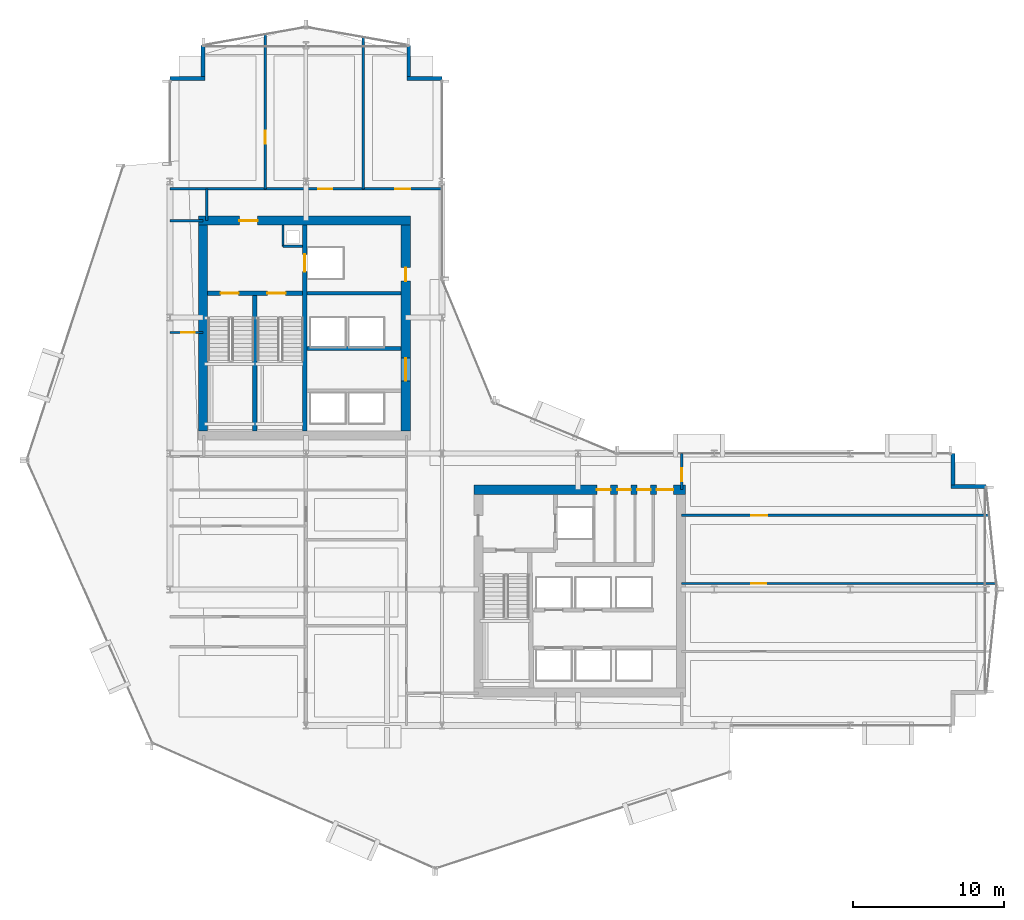
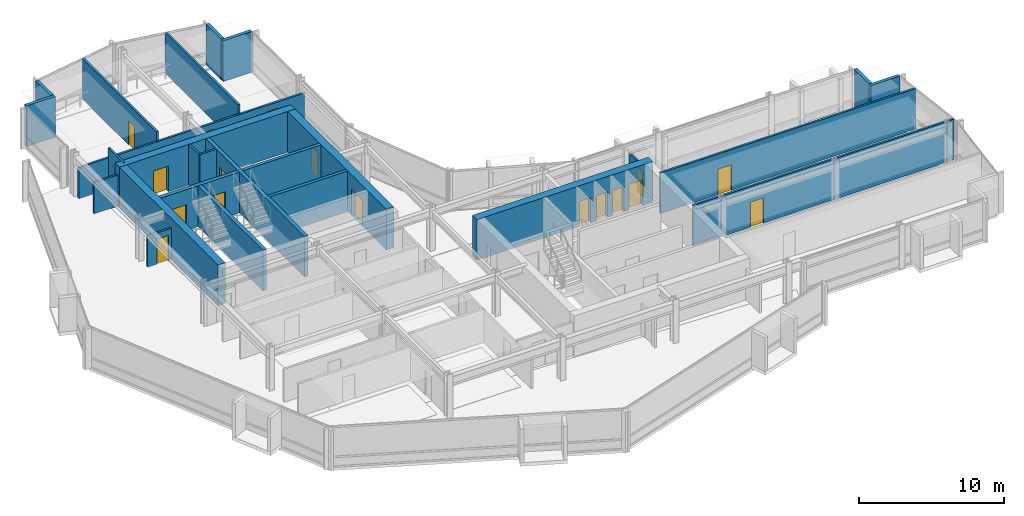
# One storey, part 28 of 34: 26 walls, 17 doors, 17 openings.
"""IFC4 building model written with IfcOpenShell, lengths in metres."""

from ifc_helpers import new_model, si_unit, direction, frame, frame_2d, origin, place, context, subcontext, project, spatial, rectangle, extrude, material, layer, layer_set, type_object, element, fill, save


model = new_model("IFC4")

# Units and contexts
model_context = context("Model", 3, precision=1e-05, world=origin(), true_north=direction((0.0, 1.0)))
body_context = subcontext(model_context, "Body", "Model", "MODEL_VIEW")
ifc_project = project(units=[si_unit("LENGTHUNIT", "METRE"), si_unit("AREAUNIT", "SQUARE_METRE"), si_unit("VOLUMEUNIT", "CUBIC_METRE"), si_unit("PLANEANGLEUNIT", "RADIAN"), si_unit("MASSUNIT", "GRAM", prefix="KILO")], contexts=[model_context])

# Site, building, storey
site_placement = place(None, origin())
site = spatial("IfcSite", under=ifc_project, at=site_placement, CompositionType="ELEMENT")
building_placement = place(site_placement, origin())
building = spatial("IfcBuilding", under=site, at=building_placement, Name="Solvaryn Broadcast Tower", CompositionType="ELEMENT")
storey_placement = place(building_placement, frame((0.0, 0.0, 89.10009765625)))
storey = spatial("IfcBuildingStorey", under=building, at=storey_placement, Name="L21", CompositionType="ELEMENT", Elevation=89.10009765625)

# Wall, opening, door
ifc_material_1 = material(Name="Concrete f'c 70 MPa", Category="concrete")
ifc_layer_1 = layer(ifc_material_1, 0.60009765625)
ifc_layer_set_1 = layer_set([ifc_layer_1], Name="CW-SHEAR-600")
wall_type_1 = type_object("IfcWallType", Name="CW-SHEAR-600", PredefinedType="SHEAR", material=ifc_layer_set_1)
wall_1_placement = place(storey_placement, frame((24.89990234375, 42.39990234375, 0.0), z_axis=(0.0, 0.0, 1.0), x_axis=(-1.0, 0.0, 0.0)))
wall_1 = element("IfcWall", 1, at=wall_1_placement, inside=storey, type_object=wall_type_1, Name="L21 West Core North Shear Wall", PredefinedType="SHEAR", context=body_context, shape_type="SweptSolid", body=[
    extrude(rectangle(XDim=14.0, YDim=0.60009765625, at=frame_2d((7.0, 0.0))), origin(), (0.0, 0.0, 1.0), 3.419921875),
])
opening_1_placement = place(wall_1_placement, frame((10.10009765625, 0.0, 0.0)))
opening_1 = element("IfcOpeningElement", 2, at=opening_1_placement, cuts=wall_1, Name="Opening FD90A", PredefinedType="OPENING", context=body_context, shape_type="SweptSolid", body=[
    extrude(rectangle(XDim=1.199951171875, YDim=2.14990234375, at=frame_2d((0.60009765625, 1.074951171875))), frame((0.0, 0.31005859375, 0.0), z_axis=(0.0, -1.0, 0.0), x_axis=(1.0, 0.0, 0.0)), (0.0, 0.0, 1.0), 0.6201171875),
])
ifc_material_2 = material(Name="Flush Acoustic Steel and Timber Door Assembly", Category="steel")
door_type_1 = type_object("IfcDoorType", Name="FD90-STAIR-1200X2150", OperationType="NOTDEFINED", PredefinedType="DOOR", material=ifc_material_2)
door_1_placement = place(opening_1_placement, origin())
door_1 = element("IfcDoor", 3, at=door_1_placement, inside=storey, type_object=door_type_1, Name="L21 West FSAE Lobby Corridor Door", OperationType="SINGLE_SWING_LEFT", OverallHeight=2.14990234375, OverallWidth=1.199951171875, PredefinedType="DOOR", context=body_context, shape_type="SweptSolid", body=[
    extrude(rectangle(XDim=1.199951171875, YDim=2.14990234375, at=frame_2d((0.60009765625, 1.074951171875))), frame((0.0, 0.02490234375, 0.0), z_axis=(0.0, -1.0, 0.0), x_axis=(1.0, 0.0, 0.0)), (0.0, 0.0, 1.0), 0.050048828125),
])
fill(opening_1, door_1)

# Wall
wall_2_placement = place(storey_placement, frame((11.199951171875, 42.10009765625, 0.0), z_axis=(0.0, 0.0, 1.0), x_axis=(0.0, -1.0, 0.0)))
element("IfcWall", 4, at=wall_2_placement, inside=storey, type_object=wall_type_1, Name="L21 West Core West Shear Wall", PredefinedType="SHEAR", context=body_context, shape_type="SweptSolid", body=[
    extrude(rectangle(XDim=13.60009765625, YDim=0.60009765625, at=frame_2d((6.800048828125, 0.0))), origin(), (0.0, 0.0, 1.0), 3.419921875),
])

# Wall, openings, doors
wall_3_placement = place(storey_placement, frame((24.60009765625, 28.5, 0.0), z_axis=(0.0, 0.0, 1.0), x_axis=(0.0, 1.0, 0.0)))
wall_3 = element("IfcWall", 5, at=wall_3_placement, inside=storey, type_object=wall_type_1, Name="L21 West Core East Shear Wall", PredefinedType="SHEAR", context=body_context, shape_type="SweptSolid", body=[
    extrude(rectangle(XDim=13.60009765625, YDim=0.60009765625, at=frame_2d((6.800048828125, 0.0))), origin(), (0.0, 0.0, 1.0), 3.419921875),
])
opening_2_placement = place(wall_3_placement, frame((3.300048828125, 0.0, 0.0)))
opening_2 = element("IfcOpeningElement", 6, at=opening_2_placement, cuts=wall_3, Name="Opening FD60A", PredefinedType="OPENING", context=body_context, shape_type="SweptSolid", body=[
    extrude(rectangle(XDim=1.5, YDim=2.199951171875, at=frame_2d((0.75, 1.10009765625))), frame((0.0, 0.31005859375, 0.0), z_axis=(0.0, -1.0, 0.0), x_axis=(1.0, 0.0, 0.0)), (0.0, 0.0, 1.0), 0.6201171875),
])
opening_3_placement = place(wall_3_placement, frame((9.89990234375, 0.0, 0.0)))
opening_3 = element("IfcOpeningElement", 7, at=opening_3_placement, cuts=wall_3, Name="Opening FD60C", PredefinedType="OPENING", context=body_context, shape_type="SweptSolid", body=[
    extrude(rectangle(XDim=0.89990234375, YDim=2.10009765625, at=frame_2d((0.449951171875, 1.050048828125))), frame((0.0, 0.31005859375, 0.0), z_axis=(0.0, -1.0, 0.0), x_axis=(1.0, 0.0, 0.0)), (0.0, 0.0, 1.0), 0.6201171875),
])
ifc_material_3 = material(Name="Flush Acoustic Steel and Timber Door Assembly", Category="steel")
door_type_2 = type_object("IfcDoorType", Name="FD60-CORR-1500X2200", OperationType="NOTDEFINED", PredefinedType="DOOR", material=ifc_material_3)
door_2_placement = place(opening_2_placement, origin())
door_2 = element("IfcDoor", 8, at=door_2_placement, inside=storey, type_object=door_type_2, Name="L21 West Elevator Lobby Corridor Door", OperationType="DOUBLE_DOOR_SINGLE_SWING", OverallHeight=2.199951171875, OverallWidth=1.5, PredefinedType="DOOR", context=body_context, shape_type="SweptSolid", body=[
    extrude(rectangle(XDim=1.5, YDim=2.199951171875, at=frame_2d((0.75, 1.10009765625))), frame((0.0, 0.02490234375, 0.0), z_axis=(0.0, -1.0, 0.0), x_axis=(1.0, 0.0, 0.0)), (0.0, 0.0, 1.0), 0.050048828125),
])
fill(opening_2, door_2)
ifc_material_4 = material(Name="Flush Acoustic Steel and Timber Door Assembly", Category="steel")
door_type_3 = type_object("IfcDoorType", Name="FD60-SERV-900X2100", OperationType="NOTDEFINED", PredefinedType="DOOR", material=ifc_material_4)
door_3_placement = place(opening_3_placement, origin())
door_3 = element("IfcDoor", 9, at=door_3_placement, inside=storey, type_object=door_type_3, Name="L21 West Core Service Door 1", OperationType="SINGLE_SWING_LEFT", OverallHeight=2.10009765625, OverallWidth=0.89990234375, PredefinedType="DOOR", context=body_context, shape_type="SweptSolid", body=[
    extrude(rectangle(XDim=0.89990234375, YDim=2.10009765625, at=frame_2d((0.449951171875, 1.050048828125))), frame((0.0, 0.02490234375, 0.0), z_axis=(0.0, -1.0, 0.0), x_axis=(1.0, 0.0, 0.0)), (0.0, 0.0, 1.0), 0.050048828125),
])
fill(opening_3, door_3)

wall_4_placement = place(storey_placement, frame((43.10009765625, 24.60009765625, 0.0), z_axis=(0.0, 0.0, 1.0), x_axis=(-1.0, 0.0, 0.0)))
wall_4 = element("IfcWall", 10, at=wall_4_placement, inside=storey, type_object=wall_type_1, Name="L21 East Core North Shear Wall", PredefinedType="SHEAR", context=body_context, shape_type="SweptSolid", body=[
    extrude(rectangle(XDim=14.0, YDim=0.60009765625, at=frame_2d((7.0, 0.0))), origin(), (0.0, 0.0, 1.0), 3.419921875),
])
opening_4_placement = place(wall_4_placement, frame((0.800048828125, 0.0, 0.0)))
opening_4 = element("IfcOpeningElement", 11, at=opening_4_placement, cuts=wall_4, Name="Opening FD90C", PredefinedType="OPENING", context=body_context, shape_type="SweptSolid", body=[
    extrude(rectangle(XDim=1.10009765625, YDim=2.14990234375, at=frame_2d((0.550048828125, 1.074951171875))), frame((0.0, 0.31005859375, 0.0), z_axis=(0.0, -1.0, 0.0), x_axis=(1.0, 0.0, 0.0)), (0.0, 0.0, 1.0), 0.6201171875),
])
opening_5_placement = place(wall_4_placement, frame((2.300048828125, 0.0, 0.0)))
opening_5 = element("IfcOpeningElement", 12, at=opening_5_placement, cuts=wall_4, Name="Opening FD60C", PredefinedType="OPENING", context=body_context, shape_type="SweptSolid", body=[
    extrude(rectangle(XDim=0.89990234375, YDim=2.10009765625, at=frame_2d((0.449951171875, 1.050048828125))), frame((0.0, 0.31005859375, 0.0), z_axis=(0.0, -1.0, 0.0), x_axis=(1.0, 0.0, 0.0)), (0.0, 0.0, 1.0), 0.6201171875),
])
opening_6_placement = place(wall_4_placement, frame((3.60009765625, 0.0, 0.0)))
opening_6 = element("IfcOpeningElement", 13, at=opening_6_placement, cuts=wall_4, Name="Opening FD60C", PredefinedType="OPENING", context=body_context, shape_type="SweptSolid", body=[
    extrude(rectangle(XDim=0.89990234375, YDim=2.10009765625, at=frame_2d((0.449951171875, 1.050048828125))), frame((0.0, 0.31005859375, 0.0), z_axis=(0.0, -1.0, 0.0), x_axis=(1.0, 0.0, 0.0)), (0.0, 0.0, 1.0), 0.6201171875),
])
opening_7_placement = place(wall_4_placement, frame((4.949951171875, 0.0, 0.0)))
opening_7 = element("IfcOpeningElement", 14, at=opening_7_placement, cuts=wall_4, Name="Opening FD60C", PredefinedType="OPENING", context=body_context, shape_type="SweptSolid", body=[
    extrude(rectangle(XDim=0.89990234375, YDim=2.10009765625, at=frame_2d((0.449951171875, 1.050048828125))), frame((0.0, 0.31005859375, 0.0), z_axis=(0.0, -1.0, 0.0), x_axis=(1.0, 0.0, 0.0)), (0.0, 0.0, 1.0), 0.6201171875),
])
door_4_placement = place(opening_5_placement, origin())
door_4 = element("IfcDoor", 15, at=door_4_placement, inside=storey, type_object=door_type_3, Name="L21 Core Wellness Room Door", OperationType="SINGLE_SWING_RIGHT", OverallHeight=2.10009765625, OverallWidth=0.89990234375, PredefinedType="DOOR", context=body_context, shape_type="SweptSolid", body=[
    extrude(rectangle(XDim=0.89990234375, YDim=2.10009765625, at=frame_2d((0.449951171875, 1.050048828125))), frame((0.0, 0.02490234375, 0.0), z_axis=(0.0, -1.0, 0.0), x_axis=(1.0, 0.0, 0.0)), (0.0, 0.0, 1.0), 0.050048828125),
])
fill(opening_5, door_4)
door_5_placement = place(opening_6_placement, origin())
door_5 = element("IfcDoor", 16, at=door_5_placement, inside=storey, type_object=door_type_3, Name="L21 Staff Restroom Door", OperationType="SINGLE_SWING_LEFT", OverallHeight=2.10009765625, OverallWidth=0.89990234375, PredefinedType="DOOR", context=body_context, shape_type="SweptSolid", body=[
    extrude(rectangle(XDim=0.89990234375, YDim=2.10009765625, at=frame_2d((0.449951171875, 1.050048828125))), frame((0.0, 0.02490234375, 0.0), z_axis=(0.0, -1.0, 0.0), x_axis=(1.0, 0.0, 0.0)), (0.0, 0.0, 1.0), 0.050048828125),
])
fill(opening_6, door_5)
door_6_placement = place(opening_7_placement, origin())
door_6 = element("IfcDoor", 17, at=door_6_placement, inside=storey, type_object=door_type_3, Name="L21 Accessible WC Door", OperationType="SINGLE_SWING_RIGHT", OverallHeight=2.10009765625, OverallWidth=0.89990234375, PredefinedType="DOOR", context=body_context, shape_type="SweptSolid", body=[
    extrude(rectangle(XDim=0.89990234375, YDim=2.10009765625, at=frame_2d((0.449951171875, 1.050048828125))), frame((0.0, 0.02490234375, 0.0), z_axis=(0.0, -1.0, 0.0), x_axis=(1.0, 0.0, 0.0)), (0.0, 0.0, 1.0), 0.050048828125),
])
fill(opening_7, door_6)
ifc_material_5 = material(Name="Flush Acoustic Steel and Timber Door Assembly", Category="steel")
door_type_4 = type_object("IfcDoorType", Name="FD90-PLANT-1100X2150", OperationType="NOTDEFINED", PredefinedType="DOOR", material=ifc_material_5)
door_7_placement = place(opening_4_placement, origin())
door_7 = element("IfcDoor", 18, at=door_7_placement, inside=storey, type_object=door_type_4, Name="L21 East Core Lobby Corridor Door", OperationType="SINGLE_SWING_LEFT", OverallHeight=2.14990234375, OverallWidth=1.10009765625, PredefinedType="DOOR", context=body_context, shape_type="SweptSolid", body=[
    extrude(rectangle(XDim=1.10009765625, YDim=2.14990234375, at=frame_2d((0.550048828125, 1.074951171875))), frame((0.0, 0.02490234375, 0.0), z_axis=(0.0, -1.0, 0.0), x_axis=(1.0, 0.0, 0.0)), (0.0, 0.0, 1.0), 0.050048828125),
])
fill(opening_4, door_7)

# Walls
ifc_material_6 = material(Name="Concrete f'c 50 MPa", Category="concrete")
ifc_layer_2 = layer(ifc_material_6, 0.260009765625)
ifc_layer_set_2 = layer_set([ifc_layer_2], Name="EW-PIER-260")
wall_type_2 = type_object("IfcWallType", Name="EW-PIER-260", PredefinedType="SOLIDWALL", material=ifc_layer_set_2)
wall_5_placement = place(storey_placement, frame((9.0, 51.800048828125, 0.0), z_axis=(0.0, 0.0, 1.0), x_axis=(1.0, 0.0, 0.0)))
element("IfcWall", 19, at=wall_5_placement, inside=storey, type_object=wall_type_2, Name="L21 Notched Corner Pier Wall NNW1", PredefinedType="SOLIDWALL", context=body_context, shape_type="SweptSolid", body=[
    extrude(rectangle(XDim=2.320068359375, YDim=0.260009765625, at=frame_2d((1.16015625, 0.0))), origin(), (0.0, 0.0, 1.0), 3.419921875),
])
for number, where, z_axis, x_axis, name in (
    (20, (11.199951171875, 51.919921875, 0.0), (0.0, 0.0, 1.0), (0.0, 1.0, 0.0), "L21 Notched Corner Pier Wall NNW2"),
    (21, (24.800048828125, 54.0, 0.0), (0.0, 0.0, 1.0), (0.0, -1.0, 0.0), "L21 Notched Corner Pier Wall NNE1"),
):
    element("IfcWall", number, at=place(storey_placement, frame(where, z_axis=z_axis, x_axis=x_axis)), inside=storey, type_object=wall_type_2, Name=name, PredefinedType="SOLIDWALL", context=body_context, shape_type="SweptSolid", body=[
        extrude(rectangle(XDim=2.080078125, YDim=0.260009765625, at=frame_2d((1.0400390625, 0.0))), origin(), (0.0, 0.0, 1.0), 3.419921875),
    ])
for number, where, z_axis, x_axis, name in (
    (22, (24.679931640625, 51.800048828125, 0.0), (0.0, 0.0, 1.0), (1.0, 0.0, 0.0), "L21 Notched Corner Pier Wall NNE2"),
    (23, (63.0, 24.800048828125, 0.0), (0.0, 0.0, 1.0), (-1.0, 0.0, 0.0), "L21 Notched Corner Pier Wall NEE1"),
):
    element("IfcWall", number, at=place(storey_placement, frame(where, z_axis=z_axis, x_axis=x_axis)), inside=storey, type_object=wall_type_2, Name=name, PredefinedType="SOLIDWALL", context=body_context, shape_type="SweptSolid", body=[
        extrude(rectangle(XDim=2.320068359375, YDim=0.260009765625, at=frame_2d((1.16015625, 0.0))), origin(), (0.0, 0.0, 1.0), 3.419921875),
    ])
wall_6_placement = place(storey_placement, frame((60.800048828125, 24.919921875, 0.0), z_axis=(0.0, 0.0, 1.0), x_axis=(0.0, 1.0, 0.0)))
element("IfcWall", 24, at=wall_6_placement, inside=storey, type_object=wall_type_2, Name="L21 Notched Corner Pier Wall NEE2", PredefinedType="SOLIDWALL", context=body_context, shape_type="SweptSolid", body=[
    extrude(rectangle(XDim=2.080078125, YDim=0.260009765625, at=frame_2d((1.0400390625, 0.0))), origin(), (0.0, 0.0, 1.0), 3.419921875),
])
ifc_material_7 = material(Name="Metal-Stud Service Core Partition")
ifc_layer_3 = layer(ifc_material_7, 0.14990234375)
ifc_layer_set_3 = layer_set([ifc_layer_3], Name="IW-PART-150")
wall_type_3 = type_object("IfcWallType", Name="IW-PART-150", PredefinedType="PARTITIONING", material=ifc_layer_set_3)
wall_7_placement = place(storey_placement, frame((16.47998046875, 40.699951171875, 0.0), z_axis=(0.0, 0.0, 1.0), x_axis=(1.0, 0.0, 0.0)))
element("IfcWall", 25, at=wall_7_placement, inside=storey, type_object=wall_type_3, Name="L21 West Core Riser Shaft South Wall", PredefinedType="PARTITIONING", context=body_context, shape_type="SweptSolid", body=[
    extrude(rectangle(XDim=1.2900390625, YDim=0.14990234375, at=frame_2d((0.64501953125, 0.0))), origin(), (0.0, 0.0, 1.0), 3.419921875),
])
wall_8_placement = place(storey_placement, frame((16.47998046875, 40.699951171875, 0.0), z_axis=(0.0, 0.0, 1.0), x_axis=(0.0, 1.0, 0.0)))
element("IfcWall", 26, at=wall_8_placement, inside=storey, type_object=wall_type_3, Name="L21 West Core Riser Shaft West Wall", PredefinedType="PARTITIONING", context=body_context, shape_type="SweptSolid", body=[
    extrude(rectangle(XDim=1.400146484375, YDim=0.14990234375, at=frame_2d((0.7001953125, 0.0))), origin(), (0.0, 0.0, 1.0), 3.419921875),
])

# Wall, opening, door
wall_9_placement = place(storey_placement, frame((9.0, 35.0, 0.0), z_axis=(0.0, 0.0, 1.0), x_axis=(1.0, 0.0, 0.0)))
wall_9 = element("IfcWall", 27, at=wall_9_placement, inside=storey, type_object=wall_type_3, Name="L21 Interior Partition IW-L21-WM-M", PredefinedType="PARTITIONING", context=body_context, shape_type="SweptSolid", body=[
    extrude(rectangle(XDim=2.199951171875, YDim=0.14990234375, at=frame_2d((1.10009765625, 0.0))), origin(), (0.0, 0.0, 1.0), 2.626953125),
])
opening_8_placement = place(wall_9_placement, frame((0.75, 0.0, 0.0)))
opening_8 = element("IfcOpeningElement", 28, at=opening_8_placement, cuts=wall_9, Name="Opening FD60C", PredefinedType="OPENING", context=body_context, shape_type="SweptSolid", body=[
    extrude(rectangle(XDim=0.89990234375, YDim=2.10009765625, at=frame_2d((0.449951171875, 1.050048828125))), frame((0.0, 0.0849609375, 0.0), z_axis=(0.0, -1.0, 0.0), x_axis=(1.0, 0.0, 0.0)), (0.0, 0.0, 1.0), 0.169921875),
])
door_8_placement = place(opening_8_placement, origin())
door_8 = element("IfcDoor", 29, at=door_8_placement, inside=storey, type_object=door_type_3, Name="L21 Door DR-L21-WM1", OperationType="SINGLE_SWING_LEFT", OverallHeight=2.10009765625, OverallWidth=0.89990234375, PredefinedType="DOOR", context=body_context, shape_type="SweptSolid", body=[
    extrude(rectangle(XDim=0.89990234375, YDim=2.10009765625, at=frame_2d((0.449951171875, 1.050048828125))), frame((0.0, 0.02490234375, 0.0), z_axis=(0.0, -1.0, 0.0), x_axis=(1.0, 0.0, 0.0)), (0.0, 0.0, 1.0), 0.050048828125),
])
fill(opening_8, door_8)

# Walls
ifc_material_8 = material(Name="Metal-Stud Gypsum Office Partition")
ifc_layer_4 = layer(ifc_material_8, 0.159912109375)
ifc_layer_set_4 = layer_set([ifc_layer_4], Name="IW-PART-160")
wall_type_4 = type_object("IfcWallType", Name="IW-PART-160", PredefinedType="PARTITIONING", material=ifc_layer_set_4)
wall_10_placement = place(storey_placement, frame((9.0, 42.39990234375, 0.0), z_axis=(0.0, 0.0, 1.0), x_axis=(1.0, 0.0, 0.0)))
element("IfcWall", 30, at=wall_10_placement, inside=storey, type_object=wall_type_4, Name="L21 Interior Partition IW-L21-WM-N", PredefinedType="PARTITIONING", context=body_context, shape_type="SweptSolid", body=[
    extrude(rectangle(XDim=2.199951171875, YDim=0.159912109375, at=frame_2d((1.10009765625, 0.0))), origin(), (0.0, 0.0, 1.0), 2.626953125),
])
wall_11_placement = place(storey_placement, frame((11.449951171875, 42.39990234375, 0.0), z_axis=(0.0, 0.0, 1.0), x_axis=(0.0, 1.0, 0.0)))
element("IfcWall", 31, at=wall_11_placement, inside=storey, type_object=wall_type_4, Name="L21 Interior Partition IW-L21-WM-E", PredefinedType="PARTITIONING", context=body_context, shape_type="SweptSolid", body=[
    extrude(rectangle(XDim=2.10009765625, YDim=0.159912109375, at=frame_2d((1.050048828125, 0.0))), origin(), (0.0, 0.0, 1.0), 3.419921875),
])

# Wall, openings, doors
wall_12_placement = place(storey_placement, frame((9.0, 44.5, 0.0), z_axis=(0.0, 0.0, 1.0), x_axis=(1.0, 0.0, 0.0)))
wall_12 = element("IfcWall", 32, at=wall_12_placement, inside=storey, type_object=wall_type_4, Name="L21 Interior Partition IW-L21-NW-SB", PredefinedType="PARTITIONING", context=body_context, shape_type="SweptSolid", body=[
    extrude(rectangle(XDim=18.0, YDim=0.159912109375, at=frame_2d((9.0, 0.0))), origin(), (0.0, 0.0, 1.0), 2.626953125),
])
opening_9_placement = place(wall_12_placement, frame((9.800048828125, 0.0, 0.0)))
opening_9 = element("IfcOpeningElement", 33, at=opening_9_placement, cuts=wall_12, Name="Opening ID01", PredefinedType="OPENING", context=body_context, shape_type="SweptSolid", body=[
    extrude(rectangle(XDim=0.949951171875, YDim=2.10009765625, at=frame_2d((0.47509765625, 1.050048828125))), frame((0.0, 0.090087890625, 0.0), z_axis=(0.0, -1.0, 0.0), x_axis=(1.0, 0.0, 0.0)), (0.0, 0.0, 1.0), 0.179931640625),
])
opening_10_placement = place(wall_12_placement, frame((14.89990234375, 0.0, 0.0)))
opening_10 = element("IfcOpeningElement", 34, at=opening_10_placement, cuts=wall_12, Name="Opening ID02", PredefinedType="OPENING", context=body_context, shape_type="SweptSolid", body=[
    extrude(rectangle(XDim=1.0, YDim=2.10009765625, at=frame_2d((0.5, 1.050048828125))), frame((0.0, 0.090087890625, 0.0), z_axis=(0.0, -1.0, 0.0), x_axis=(1.0, 0.0, 0.0)), (0.0, 0.0, 1.0), 0.179931640625),
])
ifc_material_9 = material(Name="Flush Acoustic Steel and Timber Door Assembly", Category="steel")
door_type_5 = type_object("IfcDoorType", Name="ID-01-950X2100", OperationType="NOTDEFINED", PredefinedType="DOOR", material=ifc_material_9)
door_9_placement = place(opening_9_placement, origin())
door_9 = element("IfcDoor", 35, at=door_9_placement, inside=storey, type_object=door_type_5, Name="L21 Door DR-L21-NW-2", OperationType="SINGLE_SWING_RIGHT", OverallHeight=2.10009765625, OverallWidth=0.949951171875, PredefinedType="DOOR", context=body_context, shape_type="SweptSolid", body=[
    extrude(rectangle(XDim=0.949951171875, YDim=2.10009765625, at=frame_2d((0.47509765625, 1.050048828125))), frame((0.0, 0.02490234375, 0.0), z_axis=(0.0, -1.0, 0.0), x_axis=(1.0, 0.0, 0.0)), (0.0, 0.0, 1.0), 0.050048828125),
])
fill(opening_9, door_9)
ifc_material_10 = material(Name="Flush Acoustic Steel and Timber Door Assembly", Category="steel")
door_type_6 = type_object("IfcDoorType", Name="ID-02-1000X2100", OperationType="NOTDEFINED", PredefinedType="DOOR", material=ifc_material_10)
door_10_placement = place(opening_10_placement, origin())
door_10 = element("IfcDoor", 36, at=door_10_placement, inside=storey, type_object=door_type_6, Name="L21 Door DR-L21-NW-3", OperationType="SINGLE_SWING_LEFT", OverallHeight=2.10009765625, OverallWidth=1.0, PredefinedType="DOOR", context=body_context, shape_type="SweptSolid", body=[
    extrude(rectangle(XDim=1.0, YDim=2.10009765625, at=frame_2d((0.5, 1.050048828125))), frame((0.0, 0.02490234375, 0.0), z_axis=(0.0, -1.0, 0.0), x_axis=(1.0, 0.0, 0.0)), (0.0, 0.0, 1.0), 0.050048828125),
])
fill(opening_10, door_10)

# Wall, opening, door
wall_13_placement = place(storey_placement, frame((15.300048828125, 44.5, 0.0), z_axis=(0.0, 0.0, 1.0), x_axis=(0.0, 1.0, 0.0)))
wall_13 = element("IfcWall", 37, at=wall_13_placement, inside=storey, type_object=wall_type_4, Name="L21 Interior Partition IW-L21-NW-V1", PredefinedType="PARTITIONING", context=body_context, shape_type="SweptSolid", body=[
    extrude(rectangle(XDim=10.22412109375, YDim=0.159912109375, at=frame_2d((5.112060546875, 0.0))), origin(), (0.0, 0.0, 1.0), 3.419921875),
])
opening_11_placement = place(wall_13_placement, frame((3.0, 0.0, 0.0)))
opening_11 = element("IfcOpeningElement", 38, at=opening_11_placement, cuts=wall_13, Name="Opening ID07", PredefinedType="OPENING", context=body_context, shape_type="SweptSolid", body=[
    extrude(rectangle(XDim=0.860107421875, YDim=2.050048828125, at=frame_2d((0.43017578125, 1.02490234375))), frame((0.0, 0.090087890625, 0.0), z_axis=(0.0, -1.0, 0.0), x_axis=(1.0, 0.0, 0.0)), (0.0, 0.0, 1.0), 0.179931640625),
])
ifc_material_11 = material(Name="Flush Acoustic Steel and Timber Door Assembly", Category="steel")
door_type_7 = type_object("IfcDoorType", Name="ID-07-860X2050", OperationType="NOTDEFINED", PredefinedType="DOOR", material=ifc_material_11)
door_11_placement = place(opening_11_placement, origin())
door_11 = element("IfcDoor", 39, at=door_11_placement, inside=storey, type_object=door_type_7, Name="L21 Door DR-L21-NW-C1", OperationType="SINGLE_SWING_LEFT", OverallHeight=2.050048828125, OverallWidth=0.860107421875, PredefinedType="DOOR", context=body_context, shape_type="SweptSolid", body=[
    extrude(rectangle(XDim=0.860107421875, YDim=2.050048828125, at=frame_2d((0.43017578125, 1.02490234375))), frame((0.0, 0.02490234375, 0.0), z_axis=(0.0, -1.0, 0.0), x_axis=(1.0, 0.0, 0.0)), (0.0, 0.0, 1.0), 0.050048828125),
])
fill(opening_11, door_11)

# Wall
wall_14_placement = place(storey_placement, frame((21.800048828125, 44.5, 0.0), z_axis=(0.0, 0.0, 1.0), x_axis=(0.0, 1.0, 0.0)))
element("IfcWall", 40, at=wall_14_placement, inside=storey, type_object=wall_type_4, Name="L21 Interior Partition IW-L21-NW-V2", PredefinedType="PARTITIONING", context=body_context, shape_type="SweptSolid", body=[
    extrude(rectangle(XDim=10.029052734375, YDim=0.159912109375, at=frame_2d((5.0146484375, 0.0))), origin(), (0.0, 0.0, 1.0), 3.419921875),
])

# Wall, opening, door
wall_15_placement = place(storey_placement, frame((42.85009765625, 24.60009765625, 0.0), z_axis=(0.0, 0.0, 1.0), x_axis=(0.0, 1.0, 0.0)))
wall_15 = element("IfcWall", 41, at=wall_15_placement, inside=storey, type_object=wall_type_4, Name="L21 Interior Partition IW-L21-EW-BN", PredefinedType="PARTITIONING", context=body_context, shape_type="SweptSolid", body=[
    extrude(rectangle(XDim=2.39990234375, YDim=0.159912109375, at=frame_2d((1.199951171875, 0.0))), origin(), (0.0, 0.0, 1.0), 2.626953125),
])
opening_12_placement = place(wall_15_placement, frame((0.550048828125, 0.0, 0.0)))
opening_12 = element("IfcOpeningElement", 42, at=opening_12_placement, cuts=wall_15, Name="Opening ID07", PredefinedType="OPENING", context=body_context, shape_type="SweptSolid", body=[
    extrude(rectangle(XDim=0.860107421875, YDim=2.050048828125, at=frame_2d((0.43017578125, 1.02490234375))), frame((0.0, 0.090087890625, 0.0), z_axis=(0.0, -1.0, 0.0), x_axis=(1.0, 0.0, 0.0)), (0.0, 0.0, 1.0), 0.179931640625),
])
door_12_placement = place(opening_12_placement, origin())
door_12 = element("IfcDoor", 43, at=door_12_placement, inside=storey, type_object=door_type_7, Name="L21 Door DR-L21-EW0", OperationType="SINGLE_SWING_RIGHT", OverallHeight=2.050048828125, OverallWidth=0.860107421875, PredefinedType="DOOR", context=body_context, shape_type="SweptSolid", body=[
    extrude(rectangle(XDim=0.860107421875, YDim=2.050048828125, at=frame_2d((0.43017578125, 1.02490234375))), frame((0.0, 0.02490234375, 0.0), z_axis=(0.0, -1.0, 0.0), x_axis=(1.0, 0.0, 0.0)), (0.0, 0.0, 1.0), 0.050048828125),
])
fill(opening_12, door_12)

wall_16_placement = place(storey_placement, frame((42.85009765625, 18.39990234375, 0.0), z_axis=(0.0, 0.0, 1.0), x_axis=(1.0, 0.0, 0.0)))
wall_16 = element("IfcWall", 44, at=wall_16_placement, inside=storey, type_object=wall_type_4, Name="L21 Interior Partition IW-L21-EW-H2", PredefinedType="PARTITIONING", context=body_context, shape_type="SweptSolid", body=[
    extrude(rectangle(XDim=20.808837890625, YDim=0.159912109375, at=frame_2d((10.404296875, 0.0))), origin(), (0.0, 0.0, 1.0), 3.419921875),
])
opening_13_placement = place(wall_16_placement, frame((4.60009765625, 0.0, 0.0)))
opening_13 = element("IfcOpeningElement", 45, at=opening_13_placement, cuts=wall_16, Name="Opening ID02", PredefinedType="OPENING", context=body_context, shape_type="SweptSolid", body=[
    extrude(rectangle(XDim=1.0, YDim=2.10009765625, at=frame_2d((0.5, 1.050048828125))), frame((0.0, 0.090087890625, 0.0), z_axis=(0.0, -1.0, 0.0), x_axis=(1.0, 0.0, 0.0)), (0.0, 0.0, 1.0), 0.179931640625),
])
door_13_placement = place(opening_13_placement, origin())
door_13 = element("IfcDoor", 46, at=door_13_placement, inside=storey, type_object=door_type_6, Name="L21 Door DR-L21-EW-2", OperationType="SINGLE_SWING_RIGHT", OverallHeight=2.10009765625, OverallWidth=1.0, PredefinedType="DOOR", context=body_context, shape_type="SweptSolid", body=[
    extrude(rectangle(XDim=1.0, YDim=2.10009765625, at=frame_2d((0.5, 1.050048828125))), frame((0.0, 0.02490234375, 0.0), z_axis=(0.0, -1.0, 0.0), x_axis=(1.0, 0.0, 0.0)), (0.0, 0.0, 1.0), 0.050048828125),
])
fill(opening_13, door_13)

wall_17_placement = place(storey_placement, frame((42.85009765625, 22.89990234375, 0.0), z_axis=(0.0, 0.0, 1.0), x_axis=(1.0, 0.0, 0.0)))
wall_17 = element("IfcWall", 47, at=wall_17_placement, inside=storey, type_object=wall_type_4, Name="L21 Interior Partition IW-L21-EW-H3", PredefinedType="PARTITIONING", context=body_context, shape_type="SweptSolid", body=[
    extrude(rectangle(XDim=20.345947265625, YDim=0.159912109375, at=frame_2d((10.1728515625, 0.0))), origin(), (0.0, 0.0, 1.0), 3.419921875),
])
opening_14_placement = place(wall_17_placement, frame((4.60009765625, 0.0, 0.0)))
opening_14 = element("IfcOpeningElement", 48, at=opening_14_placement, cuts=wall_17, Name="Opening ID03", PredefinedType="OPENING", context=body_context, shape_type="SweptSolid", body=[
    extrude(rectangle(XDim=1.050048828125, YDim=2.14990234375, at=frame_2d((0.52490234375, 1.074951171875))), frame((0.0, 0.090087890625, 0.0), z_axis=(0.0, -1.0, 0.0), x_axis=(1.0, 0.0, 0.0)), (0.0, 0.0, 1.0), 0.179931640625),
])
ifc_material_12 = material(Name="Flush Acoustic Steel and Timber Door Assembly", Category="steel")
door_type_8 = type_object("IfcDoorType", Name="ID-03-1050X2150", OperationType="NOTDEFINED", PredefinedType="DOOR", material=ifc_material_12)
door_14_placement = place(opening_14_placement, origin())
door_14 = element("IfcDoor", 49, at=door_14_placement, inside=storey, type_object=door_type_8, Name="L21 Door DR-L21-EW-3", OperationType="SINGLE_SWING_LEFT", OverallHeight=2.14990234375, OverallWidth=1.050048828125, PredefinedType="DOOR", context=body_context, shape_type="SweptSolid", body=[
    extrude(rectangle(XDim=1.050048828125, YDim=2.14990234375, at=frame_2d((0.52490234375, 1.074951171875))), frame((0.0, 0.02490234375, 0.0), z_axis=(0.0, -1.0, 0.0), x_axis=(1.0, 0.0, 0.0)), (0.0, 0.0, 1.0), 0.050048828125),
])
fill(opening_14, door_14)

# Walls
ifc_material_13 = material(Name="Concrete f'c 60 MPa", Category="concrete")
ifc_layer_5 = layer(ifc_material_13, 0.25)
ifc_layer_set_5 = layer_set([ifc_layer_5], Name="SW-SHAFT-250")
wall_type_5 = type_object("IfcWallType", Name="SW-SHAFT-250", PredefinedType="PARTITIONING", material=ifc_layer_set_5)
for number, where, z_axis, x_axis, name in (
    (50, (18.070068359375, 37.60009765625, 0.0), (0.0, 0.0, 1.0), (1.0, 0.0, 0.0), "L21 West Core FSAE Hoistway Front Wall"),
    (51, (24.300048828125, 33.949951171875, 0.0), (0.0, 0.0, 1.0), (-1.0, 0.0, 0.0), "L21 High-Rise Lift Bank North Wall"),
):
    element("IfcWall", number, at=place(storey_placement, frame(where, z_axis=z_axis, x_axis=x_axis)), inside=storey, type_object=wall_type_5, Name=name, PredefinedType="PARTITIONING", context=body_context, shape_type="SweptSolid", body=[
        extrude(rectangle(XDim=6.22998046875, YDim=0.25, at=frame_2d((3.114990234375, 0.0))), origin(), (0.0, 0.0, 1.0), 3.419921875),
    ])
ifc_material_14 = material(Name="Concrete f'c 70 MPa", Category="concrete")
ifc_layer_6 = layer(ifc_material_14, 0.300048828125)
ifc_layer_set_6 = layer_set([ifc_layer_6], Name="SW-SHAFT-300")
wall_type_6 = type_object("IfcWallType", Name="SW-SHAFT-300", PredefinedType="SHEAR", material=ifc_layer_set_6)
wall_18_placement = place(storey_placement, frame((14.6201171875, 28.5, 0.0), z_axis=(0.0, 0.0, 1.0), x_axis=(0.0, 1.0, 0.0)))
element("IfcWall", 52, at=wall_18_placement, inside=storey, type_object=wall_type_6, Name="L21 Stair 1-2 Dividing Wall", PredefinedType="SHEAR", context=body_context, shape_type="SweptSolid", body=[
    extrude(rectangle(XDim=8.949951171875, YDim=0.300048828125, at=frame_2d((4.47509765625, 0.0))), origin(), (0.0, 0.0, 1.0), 3.419921875),
])

# Wall, opening, door
wall_19_placement = place(storey_placement, frame((17.919921875, 42.10009765625, 0.0), z_axis=(0.0, 0.0, 1.0), x_axis=(0.0, -1.0, 0.0)))
wall_19 = element("IfcWall", 53, at=wall_19_placement, inside=storey, type_object=wall_type_6, Name="L21 West Core Stair-Lobby Shear Wall", PredefinedType="SHEAR", context=body_context, shape_type="SweptSolid", body=[
    extrude(rectangle(XDim=13.60009765625, YDim=0.300048828125, at=frame_2d((6.800048828125, 0.0))), origin(), (0.0, 0.0, 1.0), 3.419921875),
])
opening_15_placement = place(wall_19_placement, frame((1.925048828125, 0.0, 0.0)))
opening_15 = element("IfcOpeningElement", 54, at=opening_15_placement, cuts=wall_19, Name="Opening LD01", PredefinedType="OPENING", context=body_context, shape_type="SweptSolid", body=[
    extrude(rectangle(XDim=1.14990234375, YDim=2.14990234375, at=frame_2d((0.574951171875, 1.074951171875))), frame((0.0, 0.159912109375, 0.0), z_axis=(0.0, -1.0, 0.0), x_axis=(1.0, 0.0, 0.0)), (0.0, 0.0, 1.0), 0.320068359375),
])
ifc_material_15 = material(Name="Flush Acoustic Steel and Timber Door Assembly", Category="steel")
door_type_9 = type_object("IfcDoorType", Name="LD-LIFT-1150X2150", OperationType="NOTDEFINED", PredefinedType="DOOR", material=ifc_material_15)
door_15_placement = place(opening_15_placement, origin())
door_15 = element("IfcDoor", 55, at=door_15_placement, inside=storey, type_object=door_type_9, Name="L21 FL1 Lift Landing Door", OperationType="DOUBLE_DOOR_SLIDING", OverallHeight=2.14990234375, OverallWidth=1.14990234375, PredefinedType="DOOR", context=body_context, shape_type="SweptSolid", body=[
    extrude(rectangle(XDim=1.14990234375, YDim=2.14990234375, at=frame_2d((0.574951171875, 1.074951171875))), frame((0.0, 0.02490234375, 0.0), z_axis=(0.0, -1.0, 0.0), x_axis=(1.0, 0.0, 0.0)), (0.0, 0.0, 1.0), 0.050048828125),
])
fill(opening_15, door_15)

# Wall, openings, doors
wall_20_placement = place(storey_placement, frame((17.77001953125, 37.60009765625, 0.0), z_axis=(0.0, 0.0, 1.0), x_axis=(-1.0, 0.0, 0.0)))
wall_20 = element("IfcWall", 56, at=wall_20_placement, inside=storey, type_object=wall_type_6, Name="L21 West Core FSAE Lobby South Wall", PredefinedType="SHEAR", context=body_context, shape_type="SweptSolid", body=[
    extrude(rectangle(XDim=6.27001953125, YDim=0.300048828125, at=frame_2d((3.135009765625, 0.0))), origin(), (0.0, 0.0, 1.0), 3.419921875),
])
opening_16_placement = place(wall_20_placement, frame((4.219970703125, 0.0, 0.0)))
opening_16 = element("IfcOpeningElement", 57, at=opening_16_placement, cuts=wall_20, Name="Opening FD90A", PredefinedType="OPENING", context=body_context, shape_type="SweptSolid", body=[
    extrude(rectangle(XDim=1.199951171875, YDim=2.14990234375, at=frame_2d((0.60009765625, 1.074951171875))), frame((0.0, 0.159912109375, 0.0), z_axis=(0.0, -1.0, 0.0), x_axis=(1.0, 0.0, 0.0)), (0.0, 0.0, 1.0), 0.320068359375),
])
opening_17_placement = place(wall_20_placement, frame((1.1201171875, 0.0, 0.0)))
opening_17 = element("IfcOpeningElement", 58, at=opening_17_placement, cuts=wall_20, Name="Opening FD90A", PredefinedType="OPENING", context=body_context, shape_type="SweptSolid", body=[
    extrude(rectangle(XDim=1.199951171875, YDim=2.14990234375, at=frame_2d((0.60009765625, 1.074951171875))), frame((0.0, 0.159912109375, 0.0), z_axis=(0.0, -1.0, 0.0), x_axis=(1.0, 0.0, 0.0)), (0.0, 0.0, 1.0), 0.320068359375),
])
door_16_placement = place(opening_16_placement, origin())
door_16 = element("IfcDoor", 59, at=door_16_placement, inside=storey, type_object=door_type_1, Name="L21 Stair 1 Fire Door", OperationType="SINGLE_SWING_LEFT", OverallHeight=2.14990234375, OverallWidth=1.199951171875, PredefinedType="DOOR", context=body_context, shape_type="SweptSolid", body=[
    extrude(rectangle(XDim=1.199951171875, YDim=2.14990234375, at=frame_2d((0.60009765625, 1.074951171875))), frame((0.0, 0.02490234375, 0.0), z_axis=(0.0, -1.0, 0.0), x_axis=(1.0, 0.0, 0.0)), (0.0, 0.0, 1.0), 0.050048828125),
])
fill(opening_16, door_16)
door_17_placement = place(opening_17_placement, origin())
door_17 = element("IfcDoor", 60, at=door_17_placement, inside=storey, type_object=door_type_1, Name="L21 Stair 2 Fire Door", OperationType="SINGLE_SWING_RIGHT", OverallHeight=2.14990234375, OverallWidth=1.199951171875, PredefinedType="DOOR", context=body_context, shape_type="SweptSolid", body=[
    extrude(rectangle(XDim=1.199951171875, YDim=2.14990234375, at=frame_2d((0.60009765625, 1.074951171875))), frame((0.0, 0.02490234375, 0.0), z_axis=(0.0, -1.0, 0.0), x_axis=(1.0, 0.0, 0.0)), (0.0, 0.0, 1.0), 0.050048828125),
])
fill(opening_17, door_17)

save(model, "model.ifc")
